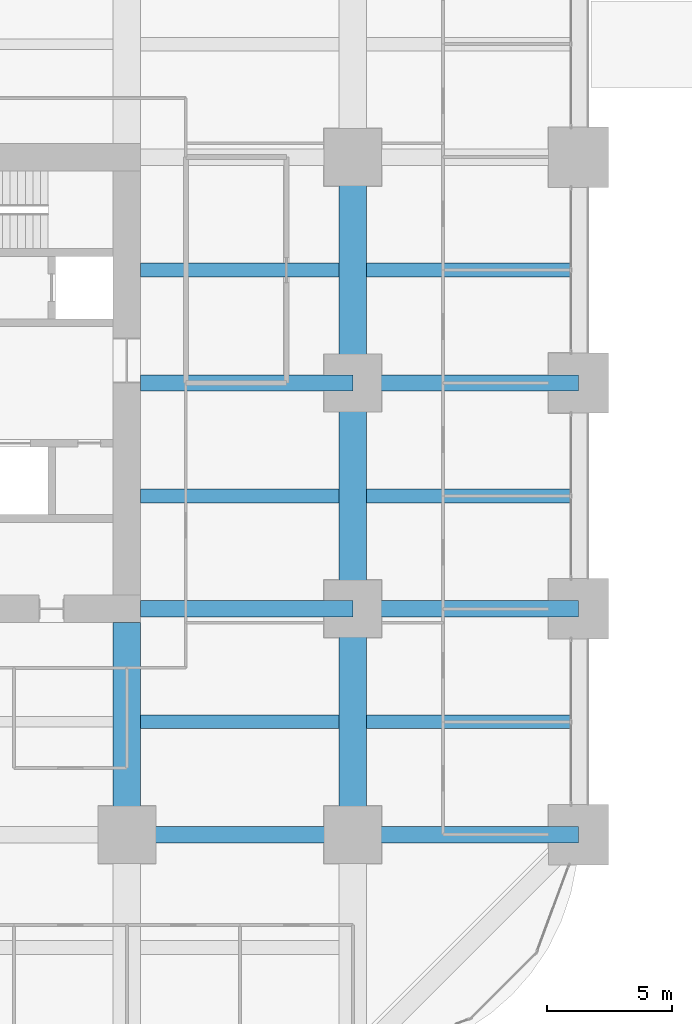
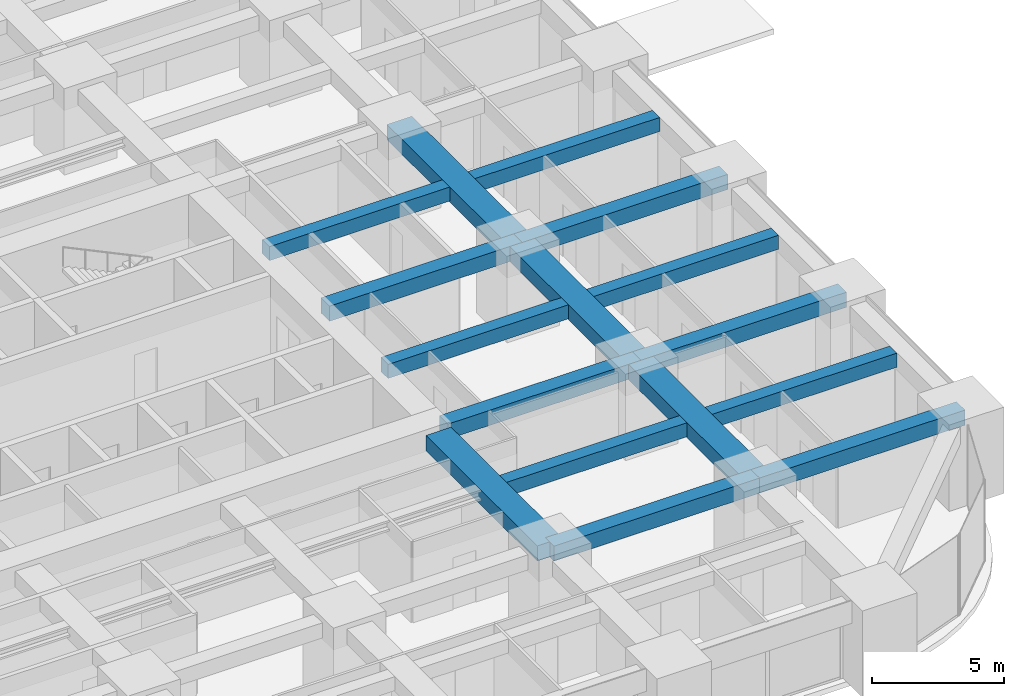
# One storey, part 15 of 39: 16 beams.
"""IFC4 building model written with IfcOpenShell, lengths in metres."""

import ifcopenshell
import ifcopenshell.guid

model = None  # the IFC model being written
_history = None  # IfcOwnerHistory: only IFC2X3 demands one
_inside = {}  # id of a spatial element -> (the spatial element, [elements in it])
_under = {}  # id of a project, library or spatial element -> (it, [spatial elements below it])
_declared = {}  # id of a project -> (the project, [libraries it declares])
_typed = {}  # id of a type object -> (the type object, [elements of that type])
_made_of = {}  # id of a material, layer set ... -> (it, [elements and type objects made of it])


def new_model(schema):
    """Start an empty IFC model of exactly this schema.

    Asked for "IFC4X3", IfcOpenShell would pick the latest addendum, in which some entities
    have other attributes; the version numbers below select the first issue.
    IFC2X3 requires an IfcOwnerHistory on every rooted entity: one is made here for all.
    """
    global model, _history
    if schema == "IFC4X3":
        model = ifcopenshell.file(schema_version=(4, 3, 0, 0))
    else:
        model = ifcopenshell.file(schema=schema)
    _inside.clear()
    _under.clear()
    _declared.clear()
    _typed.clear()
    _made_of.clear()
    _history = None
    if model.schema == "IFC2X3":
        org = make("IfcOrganization", Name="unknown")
        user = make(
            "IfcPersonAndOrganization",
            ThePerson=make("IfcPerson", FamilyName="unknown"),
            TheOrganization=org,
        )
        app = make(
            "IfcApplication",
            ApplicationDeveloper=org,
            Version="unknown",
            ApplicationFullName="unknown",
            ApplicationIdentifier="unknown",
        )
        _history = make(
            "IfcOwnerHistory",
            OwningUser=user,
            OwningApplication=app,
            ChangeAction="ADDED",
            CreationDate=0,
        )
    return model


def make(cls, **values):
    """One entity of the class cls with the attributes given. An attribute that is None is left unset."""
    return model.create_entity(
        cls, **{name: value for name, value in values.items() if value is not None}
    )


def rooted(cls, **values):
    """An entity with a GlobalId (a new one), such as an element, a storey or a relation."""
    return make(cls, GlobalId=ifcopenshell.guid.new(), OwnerHistory=_history, **values)


def si_unit(unit_type, name, prefix=None):
    """IfcSIUnit, for example si_unit("LENGTHUNIT", "METRE", prefix="MILLI")."""
    return make("IfcSIUnit", UnitType=unit_type, Prefix=prefix, Name=name)


def assignment(units):
    """IfcUnitAssignment: the units of a project."""
    return None if units is None else make("IfcUnitAssignment", Units=units)


def point(xyz):
    """IfcCartesianPoint."""
    return None if xyz is None else make("IfcCartesianPoint", Coordinates=xyz)


def direction(xyz):
    """IfcDirection."""
    return None if xyz is None else make("IfcDirection", DirectionRatios=xyz)


def frame(location, z_axis=None, x_axis=None):
    """IfcAxis2Placement3D, a coordinate frame: its origin and axes. An axis left out is left unset."""
    return make(
        "IfcAxis2Placement3D",
        Location=point(location),
        Axis=direction(z_axis),
        RefDirection=direction(x_axis),
    )


def frame_2d(location, x_axis=None):
    """IfcAxis2Placement2D, a coordinate frame in the plane: its origin and x axis."""
    return make(
        "IfcAxis2Placement2D", Location=point(location), RefDirection=direction(x_axis)
    )


def origin():
    """The frame at (0, 0, 0) with its axes left unset."""
    return frame((0.0, 0.0, 0.0))


def origin_2d():
    """The frame at (0, 0) in the plane with its x axis left unset."""
    return frame_2d((0.0, 0.0))


def place(relative_to, where):
    """IfcLocalPlacement: puts the frame where relative to a parent placement (None: the world)."""
    return make(
        "IfcLocalPlacement", PlacementRelTo=relative_to, RelativePlacement=where
    )


def context(
    kind, dimensions, precision=None, world=None, true_north=None, identifier=None
):
    """IfcGeometricRepresentationContext, for example the 3D "Model" context."""
    return make(
        "IfcGeometricRepresentationContext",
        ContextIdentifier=identifier,
        ContextType=kind,
        CoordinateSpaceDimension=dimensions,
        Precision=precision,
        WorldCoordinateSystem=world,
        TrueNorth=true_north,
    )


def subcontext(parent, identifier, kind, view, scale=None):
    """IfcGeometricRepresentationSubContext, for example "Body" below "Model"."""
    return make(
        "IfcGeometricRepresentationSubContext",
        ContextIdentifier=identifier,
        ContextType=kind,
        ParentContext=parent,
        TargetScale=scale,
        TargetView=view,
    )


def project(units=None, contexts=None):
    """IfcProject with its units and contexts."""
    return rooted(
        "IfcProject",
        Name="project",
        RepresentationContexts=contexts,
        UnitsInContext=assignment(units),
    )


def spatial(cls, under=None, at=None, **own):
    """A site, building, storey or space (cls), placed at a placement, below another one or the project."""
    s = rooted(cls, ObjectPlacement=at, **own)
    if under is not None:
        _under.setdefault(under.id(), (under, []))[1].append(s)
    return s


def profile(cls, at=None, kind="AREA", **sizes):
    """A parametric profile (cls). Its sizes go by their IFC names, for example OverallWidth=200.0."""
    return make(cls, ProfileType=kind, Position=at, **sizes)


def rectangle(**sizes):
    """IfcRectangleProfileDef."""
    return profile("IfcRectangleProfileDef", **sizes)


def extrude(swept, where, along, depth):
    """IfcExtrudedAreaSolid: the profile swept, set in the frame where, extruded along a direction by depth."""
    return make(
        "IfcExtrudedAreaSolid",
        SweptArea=swept,
        Position=where,
        ExtrudedDirection=direction(along),
        Depth=depth,
    )


def shape(context_of_items, identifier, shape_type, items):
    """IfcShapeRepresentation: the items that make up one representation, for example the "Body"."""
    return make(
        "IfcShapeRepresentation",
        ContextOfItems=context_of_items,
        RepresentationIdentifier=identifier,
        RepresentationType=shape_type,
        Items=items,
    )


def material(Name=None, Category=None):
    """IfcMaterial."""
    return make("IfcMaterial", Name=Name, Category=Category)


def material_profile(
    of_material, cross_section, Name=None, Category=None, Priority=None
):
    """IfcMaterialProfile: a cross section and its material."""
    return make(
        "IfcMaterialProfile",
        Name=Name,
        Material=of_material,
        Profile=cross_section,
        Priority=Priority,
        Category=Category,
    )


def profile_set(profiles, Name=None, composite=None):
    """IfcMaterialProfileSet."""
    return make(
        "IfcMaterialProfileSet",
        Name=Name,
        MaterialProfiles=profiles,
        CompositeProfile=composite,
    )


def made_of(thing, what):
    """Note that an element or type object is made of a material, layer set ...; save() writes the relation."""
    if what is not None:
        _made_of.setdefault(what.id(), (what, []))[1].append(thing)
    return thing


def type_object(cls, material=None, **own):
    """A type object (cls), such as IfcWallType, which elements share."""
    return made_of(rooted(cls, **own), material)


def element(
    cls,
    number,
    at=None,
    inside=None,
    cuts=None,
    type_object=None,
    material=None,
    context=None,
    identifier="Body",
    shape_type=None,
    held_by="IfcProductDefinitionShape",
    body=None,
    shapes=None,
    **own,
):
    """One element of the class cls, such as IfcWall. Its Tag is "e" and its number.

    at: its placement. inside: the storey or other place that contains it. cuts: it is an
    opening in that element (IfcRelVoidsElement). A single representation is given by context,
    identifier, shape_type and body (its items); several are given by shapes. held_by: the class
    of the entity that holds the representations. save() writes the other relations.
    """
    e = rooted(cls, Tag="e%d" % number, ObjectPlacement=at, **own)
    if body is not None:
        shapes = [shape(context, identifier, shape_type, body)]
    if shapes is not None:
        e.Representation = make(held_by, Representations=shapes)
    if inside is not None:
        _inside.setdefault(inside.id(), (inside, []))[1].append(e)
    if cuts is not None:
        rooted(
            "IfcRelVoidsElement", RelatingBuildingElement=cuts, RelatedOpeningElement=e
        )
    if type_object is not None:
        _typed.setdefault(type_object.id(), (type_object, []))[1].append(e)
    return made_of(e, material)


def aggregate(whole, parts):
    """IfcRelAggregates: a whole, such as a stair, and the parts it consists of."""
    return rooted("IfcRelAggregates", RelatingObject=whole, RelatedObjects=parts)


def save(model, path):
    """Write the relations noted so far, then the file.

    IfcRelAggregates (storeys below a building ...), IfcRelContainedInSpatialStructure (elements
    in a storey), IfcRelDefinesByType, IfcRelAssociatesMaterial and IfcRelDeclares: one each for
    every whole, place, type object, material and project.
    """
    for whole, parts in _under.values():
        aggregate(whole, parts)
    for where, things in _inside.values():
        rooted(
            "IfcRelContainedInSpatialStructure",
            RelatedElements=things,
            RelatingStructure=where,
        )
    for kind, things in _typed.values():
        rooted("IfcRelDefinesByType", RelatedObjects=things, RelatingType=kind)
    for what, things in _made_of.values():
        rooted("IfcRelAssociatesMaterial", RelatedObjects=things, RelatingMaterial=what)
    for by, libraries in _declared.values():
        rooted("IfcRelDeclares", RelatingContext=by, RelatedDefinitions=libraries)
    model.write(path)


model = new_model("IFC4")

# Units and contexts
model_context = context("Model", 3, precision=1e-05, world=origin(), true_north=direction((0.0, 1.0)))
body_context = subcontext(model_context, "Body", "Model", "MODEL_VIEW")
ifc_project = project(units=[si_unit("LENGTHUNIT", "METRE"), si_unit("AREAUNIT", "SQUARE_METRE"), si_unit("VOLUMEUNIT", "CUBIC_METRE"), si_unit("PLANEANGLEUNIT", "RADIAN"), si_unit("MASSUNIT", "GRAM", prefix="KILO")], contexts=[model_context])

# Site, building, storey
site_placement = place(None, origin())
site = spatial("IfcSite", under=ifc_project, at=site_placement, CompositionType="ELEMENT")
building_placement = place(site_placement, origin())
building = spatial("IfcBuilding", under=site, at=building_placement, Name="Zorevar Civic Tower", CompositionType="ELEMENT")
storey_placement = place(building_placement, frame((0.0, 0.0, 19.800048828125)))
storey = spatial("IfcBuildingStorey", under=building, at=storey_placement, Name="L04", CompositionType="ELEMENT", Elevation=19.800048828125)

# Beams
ifc_material_1 = material(Name="Concrete C50/60", Category="concrete")
ifc_material_profile_1 = material_profile(ifc_material_1, rectangle(XDim=1.10009765625, YDim=0.699951171875, at=origin_2d()), Name="RC 1100x700")
ifc_profile_set_1 = profile_set([ifc_material_profile_1], Name="Concrete C50/60")
beam_type_1 = type_object("IfcBeamType", Name="Beam RC 1100x700", PredefinedType="BEAM", material=ifc_profile_set_1)
beam_1_placement = place(storey_placement, frame((45.0, 9.0, 3.39990234375), z_axis=(0.0, 1.0, 0.0), x_axis=(-1.0, 0.0, 0.0)))
element("IfcBeam", 1, at=beam_1_placement, inside=storey, type_object=beam_type_1, Name="Girder L05", PredefinedType="BEAM", context=body_context, shape_type="SweptSolid", body=[
    extrude(rectangle(XDim=1.10009765625, YDim=0.699951171875, at=origin_2d()), origin(), (0.0, 0.0, 1.0), 8.449951171875),
])
for number, where, z_axis, x_axis, name in (
    (2, (54.0, 9.0, 3.39990234375), (0.0, 1.0, 0.0), (-1.0, 0.0, 0.0), "Girder L05"),
    (3, (54.0, 18.0, 3.39990234375), (0.0, 1.0, 0.0), (-1.0, 0.0, 0.0), "Girder L05"),
    (4, (54.0, 27.0, 3.39990234375), (0.0, 1.0, 0.0), (-1.0, 0.0, 0.0), "Girder L05"),
):
    element("IfcBeam", number, at=place(storey_placement, frame(where, z_axis=z_axis, x_axis=x_axis)), inside=storey, type_object=beam_type_1, Name=name, PredefinedType="BEAM", context=body_context, shape_type="SweptSolid", body=[
        extrude(rectangle(XDim=1.10009765625, YDim=0.699951171875, at=origin_2d()), origin(), (0.0, 0.0, 1.0), 9.0),
    ])
ifc_material_2 = material(Name="Concrete C50/60", Category="concrete")
ifc_material_profile_2 = material_profile(ifc_material_2, rectangle(XDim=0.550048828125, YDim=0.64990234375, at=origin_2d()), Name="RC 550x650")
ifc_profile_set_2 = profile_set([ifc_material_profile_2], Name="Concrete C50/60")
beam_type_2 = type_object("IfcBeamType", Name="Beam RC 550x650", PredefinedType="BEAM", material=ifc_profile_set_2)
beam_2_placement = place(storey_placement, frame((45.550048828125, 13.5, 3.425048828125), z_axis=(1.0, 0.0, 0.0), x_axis=(0.0, 1.0, 0.0)))
element("IfcBeam", 5, at=beam_2_placement, inside=storey, type_object=beam_type_2, Name="Secondary beam L05", PredefinedType="BEAM", context=body_context, shape_type="SweptSolid", body=[
    extrude(rectangle(XDim=0.550048828125, YDim=0.64990234375, at=origin_2d()), origin(), (0.0, 0.0, 1.0), 7.89990234375),
])
beam_3_placement = place(storey_placement, frame((54.550048828125, 13.5, 3.425048828125), z_axis=(1.0, 0.0, 0.0), x_axis=(0.0, 1.0, 0.0)))
element("IfcBeam", 6, at=beam_3_placement, inside=storey, type_object=beam_type_2, Name="Secondary beam L05", PredefinedType="BEAM", context=body_context, shape_type="SweptSolid", body=[
    extrude(rectangle(XDim=0.550048828125, YDim=0.64990234375, at=origin_2d()), origin(), (0.0, 0.0, 1.0), 8.099853515625),
])
beam_4_placement = place(storey_placement, frame((45.550048828125, 22.5, 3.425048828125), z_axis=(1.0, 0.0, 0.0), x_axis=(0.0, 1.0, 0.0)))
element("IfcBeam", 7, at=beam_4_placement, inside=storey, type_object=beam_type_2, Name="Secondary beam L05", PredefinedType="BEAM", context=body_context, shape_type="SweptSolid", body=[
    extrude(rectangle(XDim=0.550048828125, YDim=0.64990234375, at=origin_2d()), origin(), (0.0, 0.0, 1.0), 7.89990234375),
])
beam_5_placement = place(storey_placement, frame((54.550048828125, 22.5, 3.425048828125), z_axis=(1.0, 0.0, 0.0), x_axis=(0.0, 1.0, 0.0)))
element("IfcBeam", 8, at=beam_5_placement, inside=storey, type_object=beam_type_2, Name="Secondary beam L05", PredefinedType="BEAM", context=body_context, shape_type="SweptSolid", body=[
    extrude(rectangle(XDim=0.550048828125, YDim=0.64990234375, at=origin_2d()), origin(), (0.0, 0.0, 1.0), 8.099853515625),
])
beam_6_placement = place(storey_placement, frame((45.550048828125, 31.5, 3.425048828125), z_axis=(1.0, 0.0, 0.0), x_axis=(0.0, 1.0, 0.0)))
element("IfcBeam", 9, at=beam_6_placement, inside=storey, type_object=beam_type_2, Name="Secondary beam L05", PredefinedType="BEAM", context=body_context, shape_type="SweptSolid", body=[
    extrude(rectangle(XDim=0.550048828125, YDim=0.64990234375, at=origin_2d()), origin(), (0.0, 0.0, 1.0), 7.89990234375),
])
beam_7_placement = place(storey_placement, frame((54.550048828125, 31.5, 3.425048828125), z_axis=(1.0, 0.0, 0.0), x_axis=(0.0, 1.0, 0.0)))
element("IfcBeam", 10, at=beam_7_placement, inside=storey, type_object=beam_type_2, Name="Secondary beam L05", PredefinedType="BEAM", context=body_context, shape_type="SweptSolid", body=[
    extrude(rectangle(XDim=0.550048828125, YDim=0.64990234375, at=origin_2d()), origin(), (0.0, 0.0, 1.0), 8.099853515625),
])
ifc_material_3 = material(Name="Concrete C50/60", Category="concrete")
ifc_material_profile_3 = material_profile(ifc_material_3, rectangle(XDim=0.64990234375, YDim=0.699951171875, at=origin_2d()), Name="RC 650x700")
ifc_profile_set_3 = profile_set([ifc_material_profile_3], Name="Concrete C50/60")
beam_type_3 = type_object("IfcBeamType", Name="Beam RC 650x700", PredefinedType="BEAM", material=ifc_profile_set_3)
for number, where, z_axis, x_axis, name in (
    (11, (45.0, 9.0, 3.39990234375), (1.0, 0.0, 0.0), (0.0, 1.0, 0.0), "Girder L05"),
    (12, (54.0, 9.0, 3.39990234375), (1.0, 0.0, 0.0), (0.0, 1.0, 0.0), "Girder L05"),
):
    element("IfcBeam", number, at=place(storey_placement, frame(where, z_axis=z_axis, x_axis=x_axis)), inside=storey, type_object=beam_type_3, Name=name, PredefinedType="BEAM", context=body_context, shape_type="SweptSolid", body=[
        extrude(rectangle(XDim=0.64990234375, YDim=0.699951171875, at=origin_2d()), origin(), (0.0, 0.0, 1.0), 9.0),
    ])
beam_8_placement = place(storey_placement, frame((45.550048828125, 18.0, 3.39990234375), z_axis=(1.0, 0.0, 0.0), x_axis=(0.0, 1.0, 0.0)))
element("IfcBeam", 13, at=beam_8_placement, inside=storey, type_object=beam_type_3, Name="Girder L05", PredefinedType="BEAM", context=body_context, shape_type="SweptSolid", body=[
    extrude(rectangle(XDim=0.64990234375, YDim=0.699951171875, at=origin_2d()), origin(), (0.0, 0.0, 1.0), 8.449951171875),
])
beam_9_placement = place(storey_placement, frame((54.0, 18.0, 3.39990234375), z_axis=(1.0, 0.0, 0.0), x_axis=(0.0, 1.0, 0.0)))
element("IfcBeam", 14, at=beam_9_placement, inside=storey, type_object=beam_type_3, Name="Girder L05", PredefinedType="BEAM", context=body_context, shape_type="SweptSolid", body=[
    extrude(rectangle(XDim=0.64990234375, YDim=0.699951171875, at=origin_2d()), origin(), (0.0, 0.0, 1.0), 9.0),
])
beam_10_placement = place(storey_placement, frame((45.550048828125, 27.0, 3.39990234375), z_axis=(1.0, 0.0, 0.0), x_axis=(0.0, 1.0, 0.0)))
element("IfcBeam", 15, at=beam_10_placement, inside=storey, type_object=beam_type_3, Name="Girder L05", PredefinedType="BEAM", context=body_context, shape_type="SweptSolid", body=[
    extrude(rectangle(XDim=0.64990234375, YDim=0.699951171875, at=origin_2d()), origin(), (0.0, 0.0, 1.0), 8.449951171875),
])
beam_11_placement = place(storey_placement, frame((54.0, 27.0, 3.39990234375), z_axis=(1.0, 0.0, 0.0), x_axis=(0.0, 1.0, 0.0)))
element("IfcBeam", 16, at=beam_11_placement, inside=storey, type_object=beam_type_3, Name="Girder L05", PredefinedType="BEAM", context=body_context, shape_type="SweptSolid", body=[
    extrude(rectangle(XDim=0.64990234375, YDim=0.699951171875, at=origin_2d()), origin(), (0.0, 0.0, 1.0), 9.0),
])

save(model, "model.ifc")
